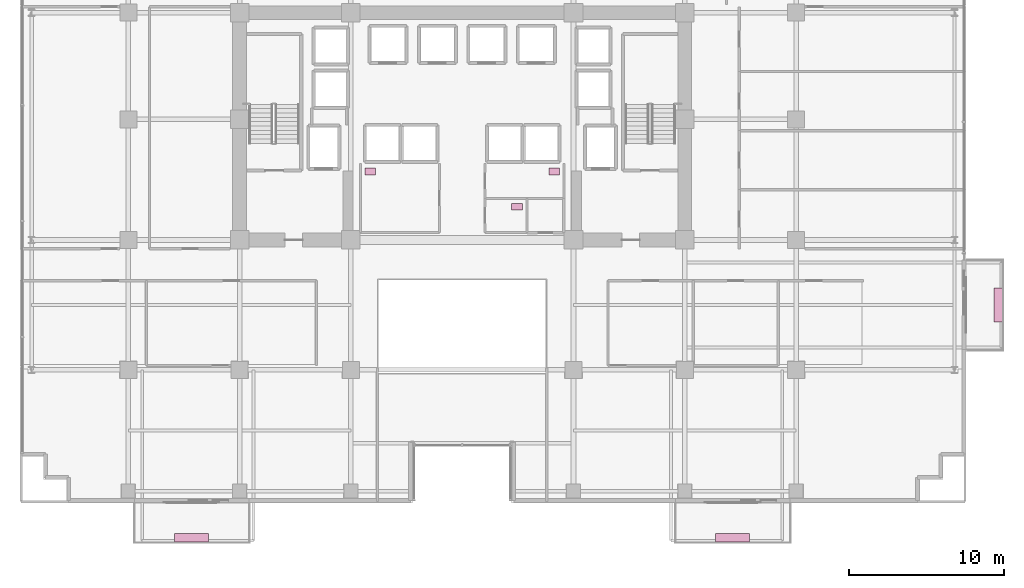
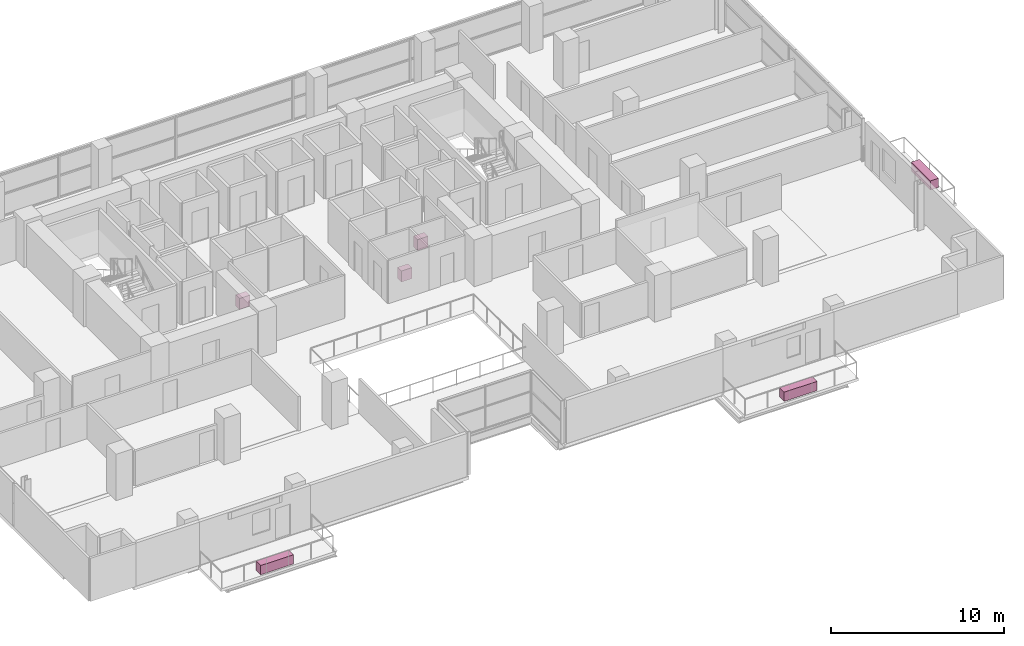
# One storey, part 27 of 27: 6 furnishings.
"""IFC4 building model written with IfcOpenShell, lengths in metres."""

from ifc_helpers import new_model, si_unit, direction, frame, origin, origin_2d, place, context, subcontext, project, spatial, rectangle, extrude, source, transform, mapped, material, type_object, element, save


model = new_model("IFC4")

# Units and contexts
model_context = context("Model", 3, precision=1e-05, world=origin(), true_north=direction((0.0, 1.0)))
body_context = subcontext(model_context, "Body", "Model", "MODEL_VIEW")
ifc_project = project(units=[si_unit("LENGTHUNIT", "METRE"), si_unit("AREAUNIT", "SQUARE_METRE"), si_unit("VOLUMEUNIT", "CUBIC_METRE"), si_unit("PLANEANGLEUNIT", "RADIAN"), si_unit("MASSUNIT", "GRAM", prefix="KILO")], contexts=[model_context])

# Site, building, storey
site_placement = place(None, origin())
site = spatial("IfcSite", under=ifc_project, at=site_placement, CompositionType="ELEMENT")
building_placement = place(site_placement, origin())
building = spatial("IfcBuilding", under=site, at=building_placement, Name="Zarnakvel Exchange Tower", CompositionType="ELEMENT")
storey_placement = place(building_placement, frame((0.0, 0.0, 76.89990234375)))
storey = spatial("IfcBuildingStorey", under=building, at=storey_placement, Name="L21", CompositionType="ELEMENT", Elevation=76.89990234375)

# Furnishings
ifc_material_1 = material(Name="Architectural Bronze Anodised Aluminium", Category="aluminium")
furnishing_element_type_1 = type_object("IfcFurnishingElementType", Name="PLNT-01", material=ifc_material_1)
shared_shape_1 = source(origin(), body_context, "Body", "SweptSolid", [
    extrude(rectangle(XDim=2.199951171875, YDim=0.550048828125, at=origin_2d()), origin(), (0.0, 0.0, 1.0), 0.64990234375),
])
for number, where, z_axis, x_axis, name in (
    (1, (-17.5, -20.469970703125, -0.034912109375), (0.0, 0.0, 1.0), (1.0, 0.0, 0.0), "L21 Balcony Greenery Planter BAL-L21-SW"),
    (2, (17.5, -20.469970703125, -0.034912109375), (0.0, 0.0, 1.0), (1.0, 0.0, 0.0), "L21 Balcony Greenery Planter BAL-L21-SE"),
    (3, (34.669921875, -5.39990234375, -0.034912109375), (0.0, 0.0, 1.0), (0.0, 1.0, 0.0), "L21 Balcony Greenery Planter BAL-L21-E"),
):
    element("IfcFurnishingElement", number, at=place(storey_placement, frame(where, z_axis=z_axis, x_axis=x_axis)), inside=storey, type_object=furnishing_element_type_1, Name=name, ObjectType="PLANTER", context=body_context, shape_type="MappedRepresentation", body=[
        mapped(shared_shape_1, transform((0.0, 0.0, 0.0), x_axis=(1.0, 0.0, 0.0), y_axis=(0.0, 1.0, 0.0), z_axis=(0.0, 0.0, 1.0), scale=1.0)),
    ])
ifc_material_2 = material(Name="Vitreous China Sanitaryware", Category="ceramic")
furnishing_element_type_2 = type_object("IfcFurnishingElementType", Name="SAN-WC", material=ifc_material_2)
shared_shape_2 = source(origin(), body_context, "Body", "SweptSolid", [
    extrude(rectangle(XDim=0.699951171875, YDim=0.449951171875, at=origin_2d()), origin(), (0.0, 0.0, 1.0), 0.780029296875),
])
for number, where, z_axis, x_axis, name in (
    (4, (-5.949951171875, 3.22998046875, 0.0), (0.0, 0.0, 1.0), (1.0, 0.0, 0.0), "L21 Sanitary Fixture (Male Toilet)"),
    (5, (5.949951171875, 3.22998046875, 0.0), (0.0, 0.0, 1.0), (1.0, 0.0, 0.0), "L21 Sanitary Fixture (Female Toilet)"),
    (6, (3.550048828125, 0.949951171875, 0.0), (0.0, 0.0, 1.0), (1.0, 0.0, 0.0), "L21 Sanitary Fixture (Accessible Toilet)"),
):
    element("IfcFurnishingElement", number, at=place(storey_placement, frame(where, z_axis=z_axis, x_axis=x_axis)), inside=storey, type_object=furnishing_element_type_2, Name=name, ObjectType="SANITARY_FIXTURE", context=body_context, shape_type="MappedRepresentation", body=[
        mapped(shared_shape_2, transform((0.0, 0.0, 0.0), x_axis=(1.0, 0.0, 0.0), y_axis=(0.0, 1.0, 0.0), z_axis=(0.0, 0.0, 1.0), scale=1.0)),
    ])

save(model, "model.ifc")
